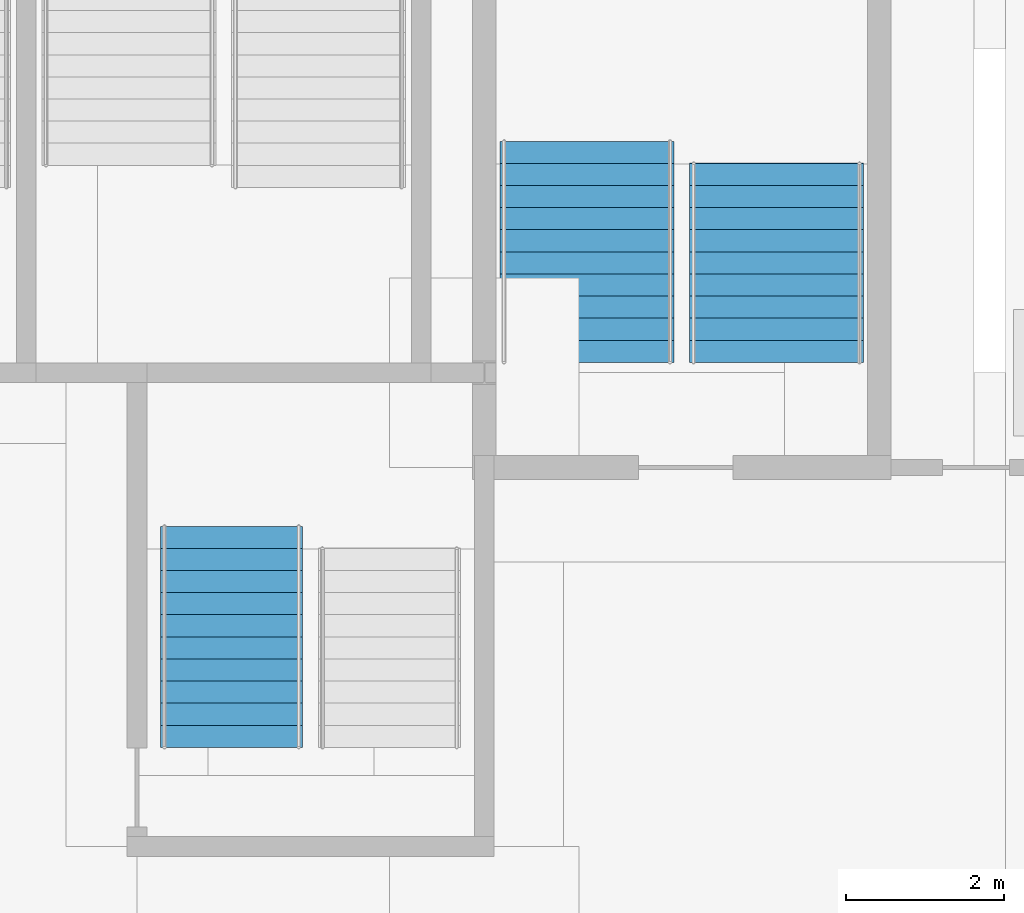
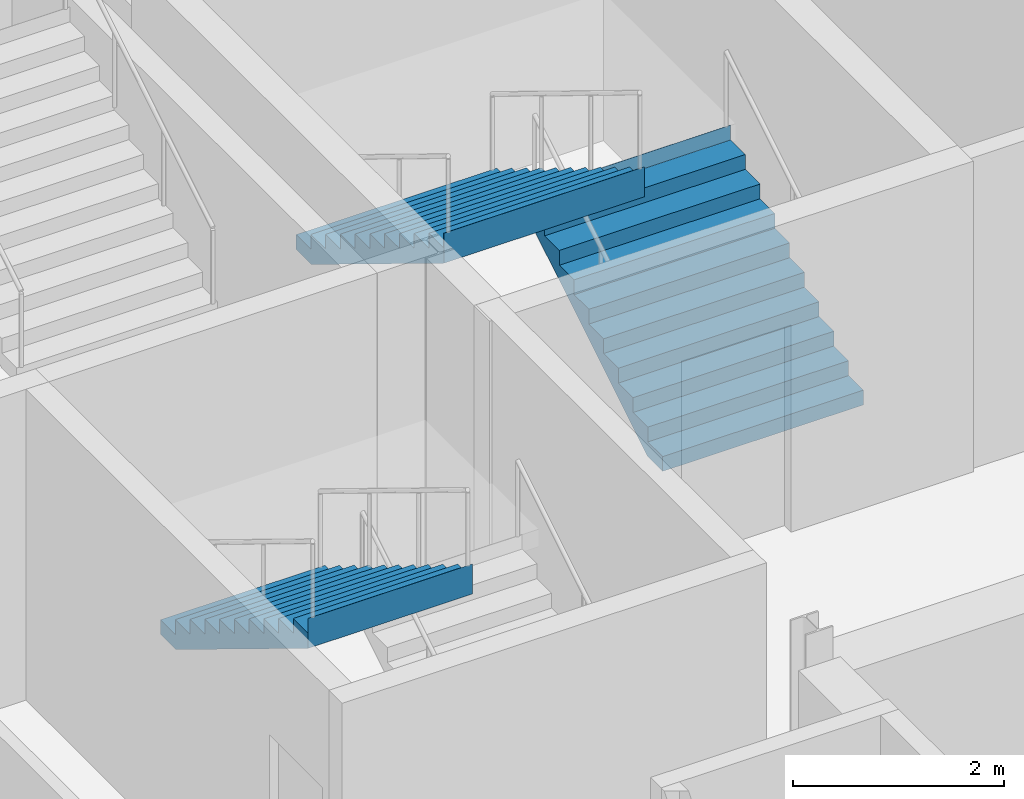
# One storey, part 96 of 148: 3 stair flights, 2 elements without a shape of their own.
"""IFC4 building model written with IfcOpenShell, lengths in metres."""

from ifc_helpers import new_model, si_unit, direction, frame, origin, place, context, subcontext, project, spatial, polyline, outline, extrude, material, type_object, element, aggregate, save


model = new_model("IFC4")

# Units and contexts
model_context = context("Model", 3, precision=1e-05, world=origin(), true_north=direction((0.0, 1.0)))
body_context = subcontext(model_context, "Body", "Model", "MODEL_VIEW")
ifc_project = project(units=[si_unit("LENGTHUNIT", "METRE"), si_unit("AREAUNIT", "SQUARE_METRE"), si_unit("VOLUMEUNIT", "CUBIC_METRE"), si_unit("PLANEANGLEUNIT", "RADIAN"), si_unit("MASSUNIT", "GRAM", prefix="KILO")], contexts=[model_context])

# Site, building, storey
site_placement = place(None, origin())
site = spatial("IfcSite", under=ifc_project, at=site_placement, CompositionType="ELEMENT")
building_placement = place(site_placement, origin())
building = spatial("IfcBuilding", under=site, at=building_placement, Name="Kupolbacken Congress Centre", CompositionType="ELEMENT")
storey_placement = place(building_placement, origin())
storey = spatial("IfcBuildingStorey", under=building, at=storey_placement, Name="L00", CompositionType="ELEMENT", Elevation=0.0)

# Stair, stair flights
ifc_material_1 = material(Name="Concrete C30/37", Category="concrete")
stair_type_1 = type_object("IfcStairType", Name="ST13 stair 2200", PredefinedType="TWO_STRAIGHT_RUN_STAIR", material=ifc_material_1)
stair_1_placement = place(storey_placement, origin())
stair_1 = element("IfcStair", 1, at=stair_1_placement, inside=storey, type_object=stair_type_1, Name="C/stair/LS1/L00", PredefinedType="NOTDEFINED")
ifc_material_2 = material(Name="Concrete C30/37", Category="concrete")
stair_flight_type_1 = type_object("IfcStairFlightType", Name="FL13 stair flight 2200 x 10 risers", PredefinedType="STRAIGHT", material=ifc_material_2)
stair_flight_1_placement = place(storey_placement, frame((82.89990234375, 50.530029296875, 0.0), z_axis=(0.0, 0.0, 1.0), x_axis=(0.0, 1.0, 0.0)))
stair_flight_1 = element("IfcStairFlight", 2, at=stair_flight_1_placement, type_object=stair_flight_type_1, Name="LS1 flight 1", NumberOfRisers=10, NumberOfTreads=9, PredefinedType="STRAIGHT", RiserHeight=0.171428571, TreadLength=0.28, context=body_context, shape_type="SweptSolid", body=[
    extrude(outline(polyline([(0.0, 0.0), (0.0, 0.0009765625), (0.0, 0.002197265625), (0.0, 0.003173828125), (0.0, 0.004150390625), (0.0, 0.00537109375), (0.0, 0.00634765625), (0.0, 0.007568359375), (0.0, 0.008544921875), (0.0, 0.009521484375), (0.0, 0.0107421875), (0.0, 0.01171875), (0.0, 0.0126953125), (0.0, 0.013916015625), (0.0, 0.014892578125), (0.0, 0.015869140625), (0.0, 0.01708984375), (0.0, 0.01806640625), (0.0, 0.019287109375), (0.0, 0.020263671875), (0.0, 0.021240234375), (0.0, 0.0224609375), (0.0, 0.0234375), (0.0, 0.0244140625), (0.0, 0.025634765625), (0.0, 0.026611328125), (0.0, 0.027587890625), (0.0, 0.02880859375), (0.0, 0.02978515625), (0.0, 0.03076171875), (0.0, 0.031982421875), (0.0, 0.032958984375), (0.0, 0.0341796875), (0.0, 0.03515625), (0.0, 0.0361328125), (0.0, 0.037353515625), (0.0, 0.038330078125), (0.0, 0.039306640625), (0.0, 0.04052734375), (0.0, 0.04150390625), (0.0, 0.04248046875), (0.0, 0.043701171875), (0.0, 0.044677734375), (0.0, 0.0458984375), (0.0, 0.046875), (0.0, 0.0478515625), (0.0, 0.049072265625), (0.0, 0.050048828125), (0.0, 0.051025390625), (0.0, 0.05224609375), (0.0, 0.05322265625), (0.0, 0.05419921875), (0.0, 0.055419921875), (0.0, 0.056396484375), (0.0, 0.0576171875), (0.0, 0.05859375), (0.0, 0.0595703125), (0.0, 0.060791015625), (0.0, 0.061767578125), (0.0, 0.062744140625), (0.0, 0.06396484375), (0.0, 0.06494140625), (0.0, 0.06591796875), (0.0, 0.067138671875), (0.0, 0.068115234375), (0.0, 0.069091796875), (0.0, 0.0703125), (0.0, 0.0712890625), (0.0, 0.072509765625), (0.0, 0.073486328125), (0.0, 0.074462890625), (0.0, 0.07568359375), (0.0, 0.07666015625), (0.0, 0.07763671875), (0.0, 0.078857421875), (0.0, 0.079833984375), (0.0, 0.080810546875), (0.0, 0.08203125), (0.0, 0.0830078125), (0.0, 0.084228515625), (0.0, 0.085205078125), (0.0, 0.086181640625), (0.0, 0.08740234375), (0.0, 0.08837890625), (0.0, 0.08935546875), (0.0, 0.090576171875), (0.0, 0.091552734375), (0.0, 0.092529296875), (0.0, 0.09375), (0.0, 0.0947265625), (0.0, 0.095947265625), (0.0, 0.096923828125), (0.0, 0.097900390625), (0.0, 0.09912109375), (0.0, 0.10009765625), (0.0, 0.10107421875), (0.0, 0.102294921875), (0.0, 0.103271484375), (0.0, 0.104248046875), (0.0, 0.10546875), (0.0, 0.1064453125), (0.0, 0.107421875), (0.0, 0.108642578125), (0.0, 0.109619140625), (0.0, 0.11083984375), (0.0, 0.11181640625), (0.0, 0.11279296875), (0.0, 0.114013671875), (0.0, 0.114990234375), (0.0, 0.115966796875), (0.0, 0.1171875), (0.0, 0.1181640625), (0.0, 0.119140625), (0.0, 0.120361328125), (0.0, 0.121337890625), (0.0, 0.12255859375), (0.0, 0.12353515625), (0.0, 0.12451171875), (0.0, 0.125732421875), (0.0, 0.126708984375), (0.0, 0.127685546875), (0.0, 0.12890625), (0.0, 0.1298828125), (0.0, 0.130859375), (0.0, 0.132080078125), (0.0, 0.133056640625), (0.0, 0.13427734375), (0.0, 0.13525390625), (0.0, 0.13623046875), (0.0, 0.137451171875), (0.0, 0.138427734375), (0.0, 0.139404296875), (0.0, 0.140625), (0.0, 0.1416015625), (0.0, 0.142578125), (0.0, 0.143798828125), (0.0, 0.144775390625), (0.0, 0.145751953125), (0.0, 0.14697265625), (0.0, 0.14794921875), (0.0, 0.149169921875), (0.0, 0.150146484375), (0.0, 0.151123046875), (0.0, 0.15234375), (0.0, 0.1533203125), (0.0, 0.154296875), (0.0, 0.155517578125), (0.0, 0.156494140625), (0.0, 0.157470703125), (0.0, 0.15869140625), (0.0, 0.15966796875), (0.0, 0.160888671875), (0.0, 0.161865234375), (0.0, 0.162841796875), (0.0, 0.1640625), (0.0, 0.1650390625), (0.0, 0.166015625), (0.0, 0.167236328125), (0.0, 0.168212890625), (0.0, 0.169189453125), (0.0, 0.17041015625), (0.0, 0.17138671875), (0.280029296875, 0.17138671875), (0.280029296875, 0.3427734375), (0.56005859375, 0.3427734375), (0.56005859375, 0.514404296875), (0.840087890625, 0.514404296875), (0.840087890625, 0.685791015625), (1.1201171875, 0.685791015625), (1.1201171875, 0.857177734375), (1.39990234375, 0.857177734375), (1.39990234375, 1.028564453125), (1.679931640625, 1.028564453125), (1.679931640625, 1.199951171875), (1.9599609375, 1.199951171875), (1.9599609375, 1.371337890625), (2.239990234375, 1.371337890625), (2.239990234375, 1.54296875), (2.52001953125, 1.54296875), (2.52001953125, 1.71435546875), (2.52197265625, 1.71435546875), (2.52197265625, 1.712158203125), (2.52197265625, 1.7099609375), (2.52197265625, 1.707763671875), (2.52197265625, 1.70556640625), (2.52197265625, 1.70361328125), (2.52197265625, 1.701416015625), (2.52197265625, 1.69921875), (2.52197265625, 1.697021484375), (2.52197265625, 1.69482421875), (2.52197265625, 1.692626953125), (2.52197265625, 1.690673828125), (2.52197265625, 1.6884765625), (2.52197265625, 1.686279296875), (2.52197265625, 1.68408203125), (2.52197265625, 1.681884765625), (2.52197265625, 1.6796875), (2.52197265625, 1.677734375), (2.52197265625, 1.675537109375), (2.52197265625, 1.67333984375), (2.52197265625, 1.671142578125), (2.52197265625, 1.6689453125), (2.52197265625, 1.666748046875), (2.52197265625, 1.664794921875), (2.52197265625, 1.66259765625), (2.52197265625, 1.660400390625), (2.52197265625, 1.658203125), (2.52197265625, 1.656005859375), (2.52197265625, 1.65380859375), (2.52197265625, 1.65185546875), (2.52197265625, 1.649658203125), (2.52197265625, 1.6474609375), (2.52197265625, 1.645263671875), (2.52197265625, 1.64306640625), (2.52197265625, 1.640869140625), (2.52197265625, 1.638916015625), (2.52197265625, 1.63671875), (2.52197265625, 1.634521484375), (2.52197265625, 1.63232421875), (2.52197265625, 1.630126953125), (2.52197265625, 1.6279296875), (2.52197265625, 1.6259765625), (2.52197265625, 1.623779296875), (2.52197265625, 1.62158203125), (2.52197265625, 1.619384765625), (2.52197265625, 1.6171875), (2.52197265625, 1.614990234375), (2.52197265625, 1.613037109375), (2.52197265625, 1.61083984375), (2.52197265625, 1.608642578125), (2.52197265625, 1.6064453125), (2.52197265625, 1.604248046875), (2.52197265625, 1.60205078125), (2.52197265625, 1.60009765625), (2.52197265625, 1.597900390625), (2.52197265625, 1.595703125), (2.52197265625, 1.593505859375), (2.52197265625, 1.59130859375), (2.52197265625, 1.589111328125), (2.52197265625, 1.587158203125), (2.52197265625, 1.5849609375), (2.52197265625, 1.582763671875), (2.52197265625, 1.58056640625), (2.52197265625, 1.578369140625), (2.52197265625, 1.576171875), (2.52197265625, 1.57421875), (2.52197265625, 1.572021484375), (2.52197265625, 1.56982421875), (2.52197265625, 1.567626953125), (2.52197265625, 1.5654296875), (2.52197265625, 1.563232421875), (2.52197265625, 1.561279296875), (2.52197265625, 1.55908203125), (2.52197265625, 1.556884765625), (2.52197265625, 1.5546875), (2.52197265625, 1.552490234375), (2.52197265625, 1.55029296875), (2.52197265625, 1.54833984375), (2.52197265625, 1.546142578125), (2.52197265625, 1.5439453125), (2.52197265625, 1.541748046875), (2.52197265625, 1.53955078125), (2.52197265625, 1.537353515625), (2.52197265625, 1.535400390625), (2.52197265625, 1.533203125), (2.52197265625, 1.531005859375), (2.52197265625, 1.52880859375), (2.52197265625, 1.526611328125), (2.52197265625, 1.5244140625), (2.52197265625, 1.5224609375), (2.52197265625, 1.520263671875), (2.52197265625, 1.51806640625), (2.52197265625, 1.515869140625), (2.52197265625, 1.513671875), (2.52197265625, 1.511474609375), (2.52197265625, 1.509521484375), (2.52197265625, 1.50732421875), (2.52197265625, 1.505126953125), (2.52197265625, 1.5029296875), (2.52197265625, 1.500732421875), (2.52197265625, 1.49853515625), (2.52197265625, 1.49658203125), (2.52197265625, 1.494384765625), (2.52197265625, 1.4921875), (2.52197265625, 1.489990234375), (2.52197265625, 1.48779296875), (2.52197265625, 1.485595703125), (2.52197265625, 1.483642578125), (2.52197265625, 1.4814453125), (2.52197265625, 1.479248046875), (2.52197265625, 1.47705078125), (2.52197265625, 1.474853515625), (2.52197265625, 1.47265625), (2.52197265625, 1.470703125), (2.52197265625, 1.468505859375), (2.52197265625, 1.46630859375), (2.52197265625, 1.464111328125), (2.52197265625, 1.4619140625), (2.52197265625, 1.459716796875), (2.52197265625, 1.457763671875), (2.52197265625, 1.45556640625), (2.52197265625, 1.453369140625), (2.52197265625, 1.451171875), (2.52197265625, 1.448974609375), (2.52197265625, 1.44677734375), (2.52197265625, 1.44482421875), (2.52197265625, 1.442626953125), (2.52197265625, 1.4404296875), (2.52197265625, 1.438232421875), (2.52197265625, 1.43603515625), (2.52197265625, 1.433837890625), (2.52197265625, 1.431884765625), (2.52197265625, 1.4296875), (2.52197265625, 1.427490234375), (2.52197265625, 1.42529296875), (2.52197265625, 1.423095703125), (2.52197265625, 1.4208984375), (2.52197265625, 1.4189453125), (2.52197265625, 1.416748046875), (2.52197265625, 1.41455078125), (2.52197265625, 1.412353515625), (2.52197265625, 1.41015625), (2.52197265625, 1.407958984375), (2.52197265625, 1.406005859375), (2.52197265625, 1.40380859375), (2.52197265625, 1.401611328125), (2.52197265625, 1.3994140625), (2.52197265625, 1.397216796875), (2.52197265625, 1.39501953125), (2.52197265625, 1.39306640625), (2.52197265625, 1.390869140625), (2.52197265625, 1.388671875), (2.52197265625, 1.386474609375), (2.52197265625, 1.38427734375), (2.52197265625, 1.382080078125), (2.52197265625, 1.380126953125), (2.52197265625, 1.3779296875), (2.52197265625, 1.375732421875), (2.52197265625, 1.37353515625), (2.52197265625, 1.371337890625), (2.52197265625, 1.369140625), (2.52197265625, 1.3671875), (0.2890625, 0.0), (0.0, 0.0)])), frame((0.0, 1.10009765625, 0.0), z_axis=(0.0, -1.0, 0.0), x_axis=(1.0, 0.0, 0.0)), (0.0, 0.0, 1.0), 2.199951171875),
])
ifc_material_3 = material(Name="Concrete C30/37", Category="concrete")
stair_flight_type_2 = type_object("IfcStairFlightType", Name="FL14 stair flight 2200 x 11 risers", PredefinedType="STRAIGHT", material=ifc_material_3)
stair_flight_2_placement = place(storey_placement, frame((80.5, 53.330078125, 1.71435546875), z_axis=(0.0, 0.0, 1.0), x_axis=(0.0, -1.0, 0.0)))
stair_flight_2 = element("IfcStairFlight", 3, at=stair_flight_2_placement, type_object=stair_flight_type_2, Name="LS1 flight 2", NumberOfRisers=11, NumberOfTreads=10, PredefinedType="STRAIGHT", RiserHeight=0.171428571, TreadLength=0.28, context=body_context, shape_type="SweptSolid", body=[
    extrude(outline(polyline([(0.0, 0.0), (0.0, 0.0009765625), (0.0, 0.002197265625), (0.0, 0.003173828125), (0.0, 0.004150390625), (0.0, 0.00537109375), (0.0, 0.00634765625), (0.0, 0.007568359375), (0.0, 0.008544921875), (0.0, 0.009521484375), (0.0, 0.0107421875), (0.0, 0.01171875), (0.0, 0.0126953125), (0.0, 0.013916015625), (0.0, 0.014892578125), (0.0, 0.015869140625), (0.0, 0.01708984375), (0.0, 0.01806640625), (0.0, 0.019287109375), (0.0, 0.020263671875), (0.0, 0.021240234375), (0.0, 0.0224609375), (0.0, 0.0234375), (0.0, 0.0244140625), (0.0, 0.025634765625), (0.0, 0.026611328125), (0.0, 0.027587890625), (0.0, 0.02880859375), (0.0, 0.02978515625), (0.0, 0.03076171875), (0.0, 0.031982421875), (0.0, 0.032958984375), (0.0, 0.0341796875), (0.0, 0.03515625), (0.0, 0.0361328125), (0.0, 0.037353515625), (0.0, 0.038330078125), (0.0, 0.039306640625), (0.0, 0.04052734375), (0.0, 0.04150390625), (0.0, 0.04248046875), (0.0, 0.043701171875), (0.0, 0.044677734375), (0.0, 0.0458984375), (0.0, 0.046875), (0.0, 0.0478515625), (0.0, 0.049072265625), (0.0, 0.050048828125), (0.0, 0.051025390625), (0.0, 0.05224609375), (0.0, 0.05322265625), (0.0, 0.05419921875), (0.0, 0.055419921875), (0.0, 0.056396484375), (0.0, 0.0576171875), (0.0, 0.05859375), (0.0, 0.0595703125), (0.0, 0.060791015625), (0.0, 0.061767578125), (0.0, 0.062744140625), (0.0, 0.06396484375), (0.0, 0.06494140625), (0.0, 0.06591796875), (0.0, 0.067138671875), (0.0, 0.068115234375), (0.0, 0.069091796875), (0.0, 0.0703125), (0.0, 0.0712890625), (0.0, 0.072509765625), (0.0, 0.073486328125), (0.0, 0.074462890625), (0.0, 0.07568359375), (0.0, 0.07666015625), (0.0, 0.07763671875), (0.0, 0.078857421875), (0.0, 0.079833984375), (0.0, 0.080810546875), (0.0, 0.08203125), (0.0, 0.0830078125), (0.0, 0.084228515625), (0.0, 0.085205078125), (0.0, 0.086181640625), (0.0, 0.08740234375), (0.0, 0.08837890625), (0.0, 0.08935546875), (0.0, 0.090576171875), (0.0, 0.091552734375), (0.0, 0.092529296875), (0.0, 0.09375), (0.0, 0.0947265625), (0.0, 0.095947265625), (0.0, 0.096923828125), (0.0, 0.097900390625), (0.0, 0.09912109375), (0.0, 0.10009765625), (0.0, 0.10107421875), (0.0, 0.102294921875), (0.0, 0.103271484375), (0.0, 0.104248046875), (0.0, 0.10546875), (0.0, 0.1064453125), (0.0, 0.107421875), (0.0, 0.108642578125), (0.0, 0.109619140625), (0.0, 0.11083984375), (0.0, 0.11181640625), (0.0, 0.11279296875), (0.0, 0.114013671875), (0.0, 0.114990234375), (0.0, 0.115966796875), (0.0, 0.1171875), (0.0, 0.1181640625), (0.0, 0.119140625), (0.0, 0.120361328125), (0.0, 0.121337890625), (0.0, 0.12255859375), (0.0, 0.12353515625), (0.0, 0.12451171875), (0.0, 0.125732421875), (0.0, 0.126708984375), (0.0, 0.127685546875), (0.0, 0.12890625), (0.0, 0.1298828125), (0.0, 0.130859375), (0.0, 0.132080078125), (0.0, 0.133056640625), (0.0, 0.13427734375), (0.0, 0.13525390625), (0.0, 0.13623046875), (0.0, 0.137451171875), (0.0, 0.138427734375), (0.0, 0.139404296875), (0.0, 0.140625), (0.0, 0.1416015625), (0.0, 0.142578125), (0.0, 0.143798828125), (0.0, 0.144775390625), (0.0, 0.145751953125), (0.0, 0.14697265625), (0.0, 0.14794921875), (0.0, 0.149169921875), (0.0, 0.150146484375), (0.0, 0.151123046875), (0.0, 0.15234375), (0.0, 0.1533203125), (0.0, 0.154296875), (0.0, 0.155517578125), (0.0, 0.156494140625), (0.0, 0.157470703125), (0.0, 0.15869140625), (0.0, 0.15966796875), (0.0, 0.160888671875), (0.0, 0.161865234375), (0.0, 0.162841796875), (0.0, 0.1640625), (0.0, 0.1650390625), (0.0, 0.166015625), (0.0, 0.167236328125), (0.0, 0.168212890625), (0.0, 0.169189453125), (0.0, 0.17041015625), (0.0, 0.17138671875), (0.280029296875, 0.17138671875), (0.280029296875, 0.3427734375), (0.56005859375, 0.3427734375), (0.56005859375, 0.514404296875), (0.840087890625, 0.514404296875), (0.840087890625, 0.685791015625), (1.1201171875, 0.685791015625), (1.1201171875, 0.857177734375), (1.39990234375, 0.857177734375), (1.39990234375, 1.028564453125), (1.679931640625, 1.028564453125), (1.679931640625, 1.199951171875), (1.9599609375, 1.199951171875), (1.9599609375, 1.371337890625), (2.239990234375, 1.371337890625), (2.239990234375, 1.54296875), (2.52001953125, 1.54296875), (2.52001953125, 1.71435546875), (2.800048828125, 1.71435546875), (2.800048828125, 1.8857421875), (2.802001953125, 1.8857421875), (2.802001953125, 1.883544921875), (2.802001953125, 1.88134765625), (2.802001953125, 1.879150390625), (2.802001953125, 1.877197265625), (2.802001953125, 1.875), (2.802001953125, 1.872802734375), (2.802001953125, 1.87060546875), (2.802001953125, 1.868408203125), (2.802001953125, 1.8662109375), (2.802001953125, 1.8642578125), (2.802001953125, 1.862060546875), (2.802001953125, 1.85986328125), (2.802001953125, 1.857666015625), (2.802001953125, 1.85546875), (2.802001953125, 1.853271484375), (2.802001953125, 1.851318359375), (2.802001953125, 1.84912109375), (2.802001953125, 1.846923828125), (2.802001953125, 1.8447265625), (2.802001953125, 1.842529296875), (2.802001953125, 1.84033203125), (2.802001953125, 1.83837890625), (2.802001953125, 1.836181640625), (2.802001953125, 1.833984375), (2.802001953125, 1.831787109375), (2.802001953125, 1.82958984375), (2.802001953125, 1.827392578125), (2.802001953125, 1.825439453125), (2.802001953125, 1.8232421875), (2.802001953125, 1.821044921875), (2.802001953125, 1.81884765625), (2.802001953125, 1.816650390625), (2.802001953125, 1.814453125), (2.802001953125, 1.8125), (2.802001953125, 1.810302734375), (2.802001953125, 1.80810546875), (2.802001953125, 1.805908203125), (2.802001953125, 1.8037109375), (2.802001953125, 1.801513671875), (2.802001953125, 1.799560546875), (2.802001953125, 1.79736328125), (2.802001953125, 1.795166015625), (2.802001953125, 1.79296875), (2.802001953125, 1.790771484375), (2.802001953125, 1.78857421875), (2.802001953125, 1.78662109375), (2.802001953125, 1.784423828125), (2.802001953125, 1.7822265625), (2.802001953125, 1.780029296875), (2.802001953125, 1.77783203125), (2.802001953125, 1.775634765625), (2.802001953125, 1.773681640625), (2.802001953125, 1.771484375), (2.802001953125, 1.769287109375), (2.802001953125, 1.76708984375), (2.802001953125, 1.764892578125), (2.802001953125, 1.7626953125), (2.802001953125, 1.7607421875), (2.802001953125, 1.758544921875), (2.802001953125, 1.75634765625), (2.802001953125, 1.754150390625), (2.802001953125, 1.751953125), (2.802001953125, 1.749755859375), (2.802001953125, 1.747802734375), (2.802001953125, 1.74560546875), (2.802001953125, 1.743408203125), (2.802001953125, 1.7412109375), (2.802001953125, 1.739013671875), (2.802001953125, 1.73681640625), (2.802001953125, 1.73486328125), (2.802001953125, 1.732666015625), (2.802001953125, 1.73046875), (2.802001953125, 1.728271484375), (2.802001953125, 1.72607421875), (2.802001953125, 1.723876953125), (2.802001953125, 1.721923828125), (2.802001953125, 1.7197265625), (2.802001953125, 1.717529296875), (2.802001953125, 1.71533203125), (2.802001953125, 1.713134765625), (2.802001953125, 1.7109375), (2.802001953125, 1.708984375), (2.802001953125, 1.706787109375), (2.802001953125, 1.70458984375), (2.802001953125, 1.702392578125), (2.802001953125, 1.7001953125), (2.802001953125, 1.697998046875), (2.802001953125, 1.696044921875), (2.802001953125, 1.69384765625), (2.802001953125, 1.691650390625), (2.802001953125, 1.689453125), (2.802001953125, 1.687255859375), (2.802001953125, 1.68505859375), (2.802001953125, 1.68310546875), (2.802001953125, 1.680908203125), (2.802001953125, 1.6787109375), (2.802001953125, 1.676513671875), (2.802001953125, 1.67431640625), (2.802001953125, 1.672119140625), (2.802001953125, 1.670166015625), (2.802001953125, 1.66796875), (2.802001953125, 1.665771484375), (2.802001953125, 1.66357421875), (2.802001953125, 1.661376953125), (2.802001953125, 1.6591796875), (2.802001953125, 1.6572265625), (2.802001953125, 1.655029296875), (2.802001953125, 1.65283203125), (2.802001953125, 1.650634765625), (2.802001953125, 1.6484375), (2.802001953125, 1.646240234375), (2.802001953125, 1.644287109375), (2.802001953125, 1.64208984375), (2.802001953125, 1.639892578125), (2.802001953125, 1.6376953125), (2.802001953125, 1.635498046875), (2.802001953125, 1.63330078125), (2.802001953125, 1.63134765625), (2.802001953125, 1.629150390625), (2.802001953125, 1.626953125), (2.802001953125, 1.624755859375), (2.802001953125, 1.62255859375), (2.802001953125, 1.620361328125), (2.802001953125, 1.618408203125), (2.802001953125, 1.6162109375), (2.802001953125, 1.614013671875), (2.802001953125, 1.61181640625), (2.802001953125, 1.609619140625), (2.802001953125, 1.607421875), (2.802001953125, 1.60546875), (2.802001953125, 1.603271484375), (2.802001953125, 1.60107421875), (2.802001953125, 1.598876953125), (2.802001953125, 1.5966796875), (2.802001953125, 1.594482421875), (2.802001953125, 1.592529296875), (2.802001953125, 1.59033203125), (2.802001953125, 1.588134765625), (2.802001953125, 1.5859375), (2.802001953125, 1.583740234375), (2.802001953125, 1.58154296875), (2.802001953125, 1.57958984375), (2.802001953125, 1.577392578125), (2.802001953125, 1.5751953125), (2.802001953125, 1.572998046875), (2.802001953125, 1.57080078125), (2.802001953125, 1.568603515625), (2.802001953125, 1.566650390625), (2.802001953125, 1.564453125), (2.802001953125, 1.562255859375), (2.802001953125, 1.56005859375), (2.802001953125, 1.557861328125), (2.802001953125, 1.5556640625), (2.802001953125, 1.5537109375), (2.802001953125, 1.551513671875), (2.802001953125, 1.54931640625), (2.802001953125, 1.547119140625), (2.802001953125, 1.544921875), (2.802001953125, 1.542724609375), (2.802001953125, 1.540771484375), (2.802001953125, 1.53857421875), (0.2890625, 0.0), (0.0, 0.0)])), frame((0.0, 1.10009765625, 0.0), z_axis=(0.0, -1.0, 0.0), x_axis=(1.0, 0.0, 0.0)), (0.0, 0.0, 1.0), 2.199951171875),
])
aggregate(stair_1, [stair_flight_1, stair_flight_2])

# Stair, stair flight
ifc_material_4 = material(Name="Steel S355", Category="steel")
stair_type_2 = type_object("IfcStairType", Name="ST3 stair 1800", PredefinedType="TWO_STRAIGHT_RUN_STAIR", material=ifc_material_4)
stair_2_placement = place(storey_placement, origin())
stair_2 = element("IfcStair", 4, at=stair_2_placement, inside=storey, type_object=stair_type_2, Name="C/stair/FS2E/L00", PredefinedType="NOTDEFINED")
ifc_material_5 = material(Name="Steel S355", Category="steel")
stair_flight_type_3 = type_object("IfcStairFlightType", Name="FL6 stair flight 1800 x 11 risers", PredefinedType="STRAIGHT", material=ifc_material_5)
stair_flight_3_placement = place(storey_placement, frame((76.0, 48.455078125, 1.71435546875), z_axis=(0.0, 0.0, 1.0), x_axis=(0.0, -1.0, 0.0)))
stair_flight_3 = element("IfcStairFlight", 5, at=stair_flight_3_placement, type_object=stair_flight_type_3, Name="FS2E flight 2", NumberOfRisers=11, NumberOfTreads=10, PredefinedType="STRAIGHT", RiserHeight=0.171428571, TreadLength=0.28, context=body_context, shape_type="SweptSolid", body=[
    extrude(outline(polyline([(0.0, 0.0), (0.0, 0.0009765625), (0.0, 0.002197265625), (0.0, 0.003173828125), (0.0, 0.004150390625), (0.0, 0.00537109375), (0.0, 0.00634765625), (0.0, 0.007568359375), (0.0, 0.008544921875), (0.0, 0.009521484375), (0.0, 0.0107421875), (0.0, 0.01171875), (0.0, 0.0126953125), (0.0, 0.013916015625), (0.0, 0.014892578125), (0.0, 0.015869140625), (0.0, 0.01708984375), (0.0, 0.01806640625), (0.0, 0.019287109375), (0.0, 0.020263671875), (0.0, 0.021240234375), (0.0, 0.0224609375), (0.0, 0.0234375), (0.0, 0.0244140625), (0.0, 0.025634765625), (0.0, 0.026611328125), (0.0, 0.027587890625), (0.0, 0.02880859375), (0.0, 0.02978515625), (0.0, 0.03076171875), (0.0, 0.031982421875), (0.0, 0.032958984375), (0.0, 0.0341796875), (0.0, 0.03515625), (0.0, 0.0361328125), (0.0, 0.037353515625), (0.0, 0.038330078125), (0.0, 0.039306640625), (0.0, 0.04052734375), (0.0, 0.04150390625), (0.0, 0.04248046875), (0.0, 0.043701171875), (0.0, 0.044677734375), (0.0, 0.0458984375), (0.0, 0.046875), (0.0, 0.0478515625), (0.0, 0.049072265625), (0.0, 0.050048828125), (0.0, 0.051025390625), (0.0, 0.05224609375), (0.0, 0.05322265625), (0.0, 0.05419921875), (0.0, 0.055419921875), (0.0, 0.056396484375), (0.0, 0.0576171875), (0.0, 0.05859375), (0.0, 0.0595703125), (0.0, 0.060791015625), (0.0, 0.061767578125), (0.0, 0.062744140625), (0.0, 0.06396484375), (0.0, 0.06494140625), (0.0, 0.06591796875), (0.0, 0.067138671875), (0.0, 0.068115234375), (0.0, 0.069091796875), (0.0, 0.0703125), (0.0, 0.0712890625), (0.0, 0.072509765625), (0.0, 0.073486328125), (0.0, 0.074462890625), (0.0, 0.07568359375), (0.0, 0.07666015625), (0.0, 0.07763671875), (0.0, 0.078857421875), (0.0, 0.079833984375), (0.0, 0.080810546875), (0.0, 0.08203125), (0.0, 0.0830078125), (0.0, 0.084228515625), (0.0, 0.085205078125), (0.0, 0.086181640625), (0.0, 0.08740234375), (0.0, 0.08837890625), (0.0, 0.08935546875), (0.0, 0.090576171875), (0.0, 0.091552734375), (0.0, 0.092529296875), (0.0, 0.09375), (0.0, 0.0947265625), (0.0, 0.095947265625), (0.0, 0.096923828125), (0.0, 0.097900390625), (0.0, 0.09912109375), (0.0, 0.10009765625), (0.0, 0.10107421875), (0.0, 0.102294921875), (0.0, 0.103271484375), (0.0, 0.104248046875), (0.0, 0.10546875), (0.0, 0.1064453125), (0.0, 0.107421875), (0.0, 0.108642578125), (0.0, 0.109619140625), (0.0, 0.11083984375), (0.0, 0.11181640625), (0.0, 0.11279296875), (0.0, 0.114013671875), (0.0, 0.114990234375), (0.0, 0.115966796875), (0.0, 0.1171875), (0.0, 0.1181640625), (0.0, 0.119140625), (0.0, 0.120361328125), (0.0, 0.121337890625), (0.0, 0.12255859375), (0.0, 0.12353515625), (0.0, 0.12451171875), (0.0, 0.125732421875), (0.0, 0.126708984375), (0.0, 0.127685546875), (0.0, 0.12890625), (0.0, 0.1298828125), (0.0, 0.130859375), (0.0, 0.132080078125), (0.0, 0.133056640625), (0.0, 0.13427734375), (0.0, 0.13525390625), (0.0, 0.13623046875), (0.0, 0.137451171875), (0.0, 0.138427734375), (0.0, 0.139404296875), (0.0, 0.140625), (0.0, 0.1416015625), (0.0, 0.142578125), (0.0, 0.143798828125), (0.0, 0.144775390625), (0.0, 0.145751953125), (0.0, 0.14697265625), (0.0, 0.14794921875), (0.0, 0.149169921875), (0.0, 0.150146484375), (0.0, 0.151123046875), (0.0, 0.15234375), (0.0, 0.1533203125), (0.0, 0.154296875), (0.0, 0.155517578125), (0.0, 0.156494140625), (0.0, 0.157470703125), (0.0, 0.15869140625), (0.0, 0.15966796875), (0.0, 0.160888671875), (0.0, 0.161865234375), (0.0, 0.162841796875), (0.0, 0.1640625), (0.0, 0.1650390625), (0.0, 0.166015625), (0.0, 0.167236328125), (0.0, 0.168212890625), (0.0, 0.169189453125), (0.0, 0.17041015625), (0.0, 0.17138671875), (0.280029296875, 0.17138671875), (0.280029296875, 0.3427734375), (0.56005859375, 0.3427734375), (0.56005859375, 0.514404296875), (0.840087890625, 0.514404296875), (0.840087890625, 0.685791015625), (1.1201171875, 0.685791015625), (1.1201171875, 0.857177734375), (1.39990234375, 0.857177734375), (1.39990234375, 1.028564453125), (1.679931640625, 1.028564453125), (1.679931640625, 1.199951171875), (1.9599609375, 1.199951171875), (1.9599609375, 1.371337890625), (2.239990234375, 1.371337890625), (2.239990234375, 1.54296875), (2.52001953125, 1.54296875), (2.52001953125, 1.71435546875), (2.800048828125, 1.71435546875), (2.800048828125, 1.8857421875), (2.802001953125, 1.8857421875), (2.802001953125, 1.883544921875), (2.802001953125, 1.88134765625), (2.802001953125, 1.879150390625), (2.802001953125, 1.877197265625), (2.802001953125, 1.875), (2.802001953125, 1.872802734375), (2.802001953125, 1.87060546875), (2.802001953125, 1.868408203125), (2.802001953125, 1.8662109375), (2.802001953125, 1.8642578125), (2.802001953125, 1.862060546875), (2.802001953125, 1.85986328125), (2.802001953125, 1.857666015625), (2.802001953125, 1.85546875), (2.802001953125, 1.853271484375), (2.802001953125, 1.851318359375), (2.802001953125, 1.84912109375), (2.802001953125, 1.846923828125), (2.802001953125, 1.8447265625), (2.802001953125, 1.842529296875), (2.802001953125, 1.84033203125), (2.802001953125, 1.83837890625), (2.802001953125, 1.836181640625), (2.802001953125, 1.833984375), (2.802001953125, 1.831787109375), (2.802001953125, 1.82958984375), (2.802001953125, 1.827392578125), (2.802001953125, 1.825439453125), (2.802001953125, 1.8232421875), (2.802001953125, 1.821044921875), (2.802001953125, 1.81884765625), (2.802001953125, 1.816650390625), (2.802001953125, 1.814453125), (2.802001953125, 1.8125), (2.802001953125, 1.810302734375), (2.802001953125, 1.80810546875), (2.802001953125, 1.805908203125), (2.802001953125, 1.8037109375), (2.802001953125, 1.801513671875), (2.802001953125, 1.799560546875), (2.802001953125, 1.79736328125), (2.802001953125, 1.795166015625), (2.802001953125, 1.79296875), (2.802001953125, 1.790771484375), (2.802001953125, 1.78857421875), (2.802001953125, 1.78662109375), (2.802001953125, 1.784423828125), (2.802001953125, 1.7822265625), (2.802001953125, 1.780029296875), (2.802001953125, 1.77783203125), (2.802001953125, 1.775634765625), (2.802001953125, 1.773681640625), (2.802001953125, 1.771484375), (2.802001953125, 1.769287109375), (2.802001953125, 1.76708984375), (2.802001953125, 1.764892578125), (2.802001953125, 1.7626953125), (2.802001953125, 1.7607421875), (2.802001953125, 1.758544921875), (2.802001953125, 1.75634765625), (2.802001953125, 1.754150390625), (2.802001953125, 1.751953125), (2.802001953125, 1.749755859375), (2.802001953125, 1.747802734375), (2.802001953125, 1.74560546875), (2.802001953125, 1.743408203125), (2.802001953125, 1.7412109375), (2.802001953125, 1.739013671875), (2.802001953125, 1.73681640625), (2.802001953125, 1.73486328125), (2.802001953125, 1.732666015625), (2.802001953125, 1.73046875), (2.802001953125, 1.728271484375), (2.802001953125, 1.72607421875), (2.802001953125, 1.723876953125), (2.802001953125, 1.721923828125), (2.802001953125, 1.7197265625), (2.802001953125, 1.717529296875), (2.802001953125, 1.71533203125), (2.802001953125, 1.713134765625), (2.802001953125, 1.7109375), (2.802001953125, 1.708984375), (2.802001953125, 1.706787109375), (2.802001953125, 1.70458984375), (2.802001953125, 1.702392578125), (2.802001953125, 1.7001953125), (2.802001953125, 1.697998046875), (2.802001953125, 1.696044921875), (2.802001953125, 1.69384765625), (2.802001953125, 1.691650390625), (2.802001953125, 1.689453125), (2.802001953125, 1.687255859375), (2.802001953125, 1.68505859375), (2.802001953125, 1.68310546875), (2.802001953125, 1.680908203125), (2.802001953125, 1.6787109375), (2.802001953125, 1.676513671875), (2.802001953125, 1.67431640625), (2.802001953125, 1.672119140625), (2.802001953125, 1.670166015625), (2.802001953125, 1.66796875), (2.802001953125, 1.665771484375), (2.802001953125, 1.66357421875), (2.802001953125, 1.661376953125), (2.802001953125, 1.6591796875), (2.802001953125, 1.6572265625), (2.802001953125, 1.655029296875), (2.802001953125, 1.65283203125), (2.802001953125, 1.650634765625), (2.802001953125, 1.6484375), (2.802001953125, 1.646240234375), (2.802001953125, 1.644287109375), (2.802001953125, 1.64208984375), (2.802001953125, 1.639892578125), (2.802001953125, 1.6376953125), (2.802001953125, 1.635498046875), (2.802001953125, 1.63330078125), (2.802001953125, 1.63134765625), (2.802001953125, 1.629150390625), (2.802001953125, 1.626953125), (2.802001953125, 1.624755859375), (2.802001953125, 1.62255859375), (2.802001953125, 1.620361328125), (2.802001953125, 1.618408203125), (2.802001953125, 1.6162109375), (2.802001953125, 1.614013671875), (2.802001953125, 1.61181640625), (2.802001953125, 1.609619140625), (2.802001953125, 1.607421875), (2.802001953125, 1.60546875), (2.802001953125, 1.603271484375), (2.802001953125, 1.60107421875), (2.802001953125, 1.598876953125), (2.802001953125, 1.5966796875), (2.802001953125, 1.594482421875), (2.802001953125, 1.592529296875), (2.802001953125, 1.59033203125), (2.802001953125, 1.588134765625), (2.802001953125, 1.5859375), (2.802001953125, 1.583740234375), (2.802001953125, 1.58154296875), (2.802001953125, 1.57958984375), (2.802001953125, 1.577392578125), (2.802001953125, 1.5751953125), (2.802001953125, 1.572998046875), (2.802001953125, 1.57080078125), (2.802001953125, 1.568603515625), (2.802001953125, 1.566650390625), (2.802001953125, 1.564453125), (2.802001953125, 1.562255859375), (2.802001953125, 1.56005859375), (2.802001953125, 1.557861328125), (2.802001953125, 1.5556640625), (2.802001953125, 1.5537109375), (2.802001953125, 1.551513671875), (2.802001953125, 1.54931640625), (2.802001953125, 1.547119140625), (2.802001953125, 1.544921875), (2.802001953125, 1.542724609375), (2.802001953125, 1.540771484375), (2.802001953125, 1.53857421875), (0.2890625, 0.0), (0.0, 0.0)])), frame((0.0, 0.89990234375, 0.0), z_axis=(0.0, -1.0, 0.0), x_axis=(1.0, 0.0, 0.0)), (0.0, 0.0, 1.0), 1.800048828125),
])
aggregate(stair_2, [stair_flight_3])

save(model, "model.ifc")
